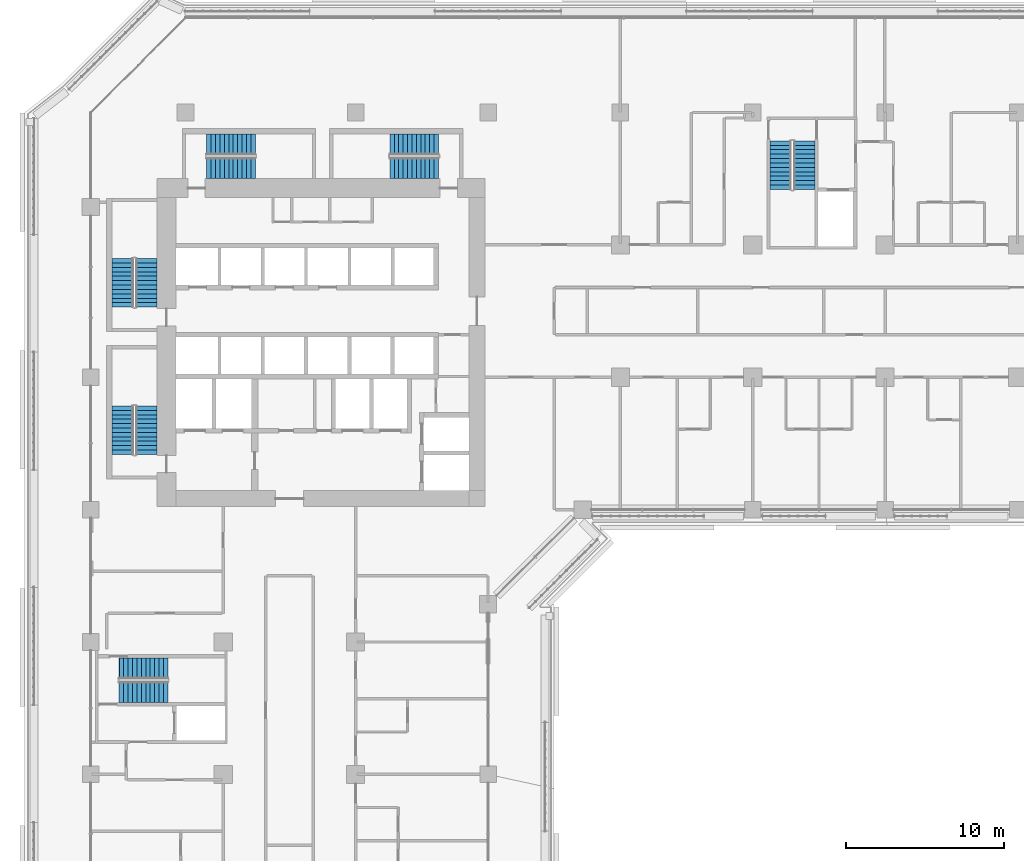
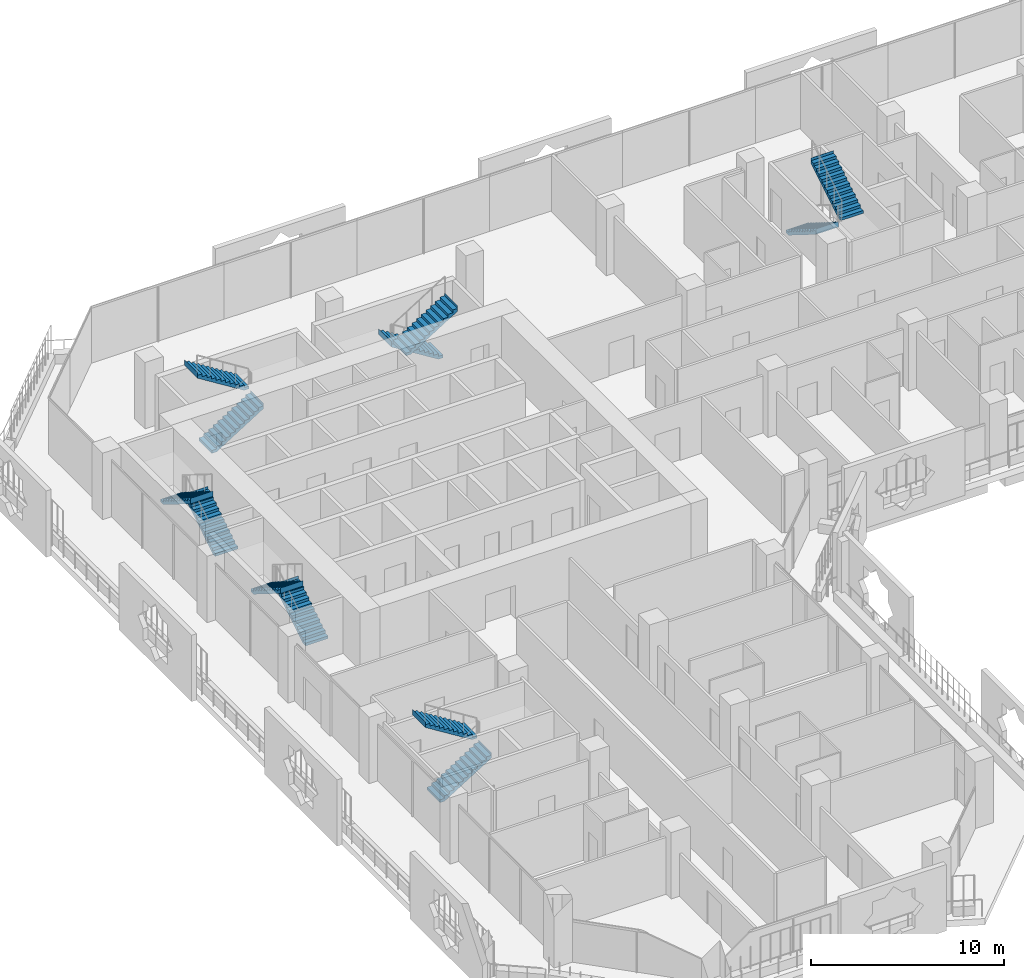
# One storey, part 18 of 25: 12 stair flights, 6 elements without a shape of their own.
"""IFC4 building model written with IfcOpenShell, lengths in metres."""

from ifc_helpers import new_model, si_unit, direction, frame, origin, place, context, subcontext, project, spatial, polyline, outline, extrude, material, type_object, element, aggregate, save


model = new_model("IFC4")

# Units and contexts
model_context = context("Model", 3, precision=1e-05, world=origin(), true_north=direction((0.0, 1.0)))
body_context = subcontext(model_context, "Body", "Model", "MODEL_VIEW")
ifc_project = project(units=[si_unit("LENGTHUNIT", "METRE"), si_unit("AREAUNIT", "SQUARE_METRE"), si_unit("VOLUMEUNIT", "CUBIC_METRE"), si_unit("PLANEANGLEUNIT", "RADIAN"), si_unit("MASSUNIT", "GRAM", prefix="KILO")], contexts=[model_context])

# Site, building, storey
site_placement = place(None, origin())
site = spatial("IfcSite", under=ifc_project, at=site_placement, CompositionType="ELEMENT")
building_placement = place(site_placement, origin())
building = spatial("IfcBuilding", under=site, at=building_placement, Name="Kawkab Arch Medical Tower", CompositionType="ELEMENT")
storey_placement = place(building_placement, frame((0.0, 0.0, 136.60009765625)))
storey = spatial("IfcBuildingStorey", under=building, at=storey_placement, Name="L31", CompositionType="ELEMENT", Elevation=136.60009765625)

# Stair, stair flights
ifc_material_1 = material(Name="Concrete C40/50", Category="concrete")
stair_type = type_object("IfcStairType", Name="Exit stair 1350", PredefinedType="HALF_TURN_STAIR", material=ifc_material_1)
placement = place(storey_placement, origin())
stair_1 = element("IfcStair", 1, at=placement, inside=storey, type_object=stair_type, Name="L31 Exit stair ST1", PredefinedType="HALF_TURN_STAIR")
ifc_material_2 = material(Name="Concrete C40/50", Category="concrete")
stair_flight_type = type_object("IfcStairFlightType", Name="Exit stair flight 1350", PredefinedType="STRAIGHT", material=ifc_material_2)
stair_flight_1_placement = place(storey_placement, frame((3.52490234375, -12.35009765625, 0.0), z_axis=(0.0, 0.0, 1.0), x_axis=(0.0, 1.0, 0.0)))
stair_flight_1 = element("IfcStairFlight", 2, at=stair_flight_1_placement, type_object=stair_flight_type, Name="ST1 flight 1", NumberOfRisers=12, NumberOfTreads=11, PredefinedType="STRAIGHT", RiserHeight=0.175, TreadLength=0.28, context=body_context, shape_type="SweptSolid", body=[
    extrude(outline(polyline([(-0.0029296875, 0.0), (-0.0029296875, 0.175048828125), (0.0, 0.175048828125), (0.280029296875, 0.175048828125), (0.280029296875, 0.35009765625), (0.56005859375, 0.35009765625), (0.56005859375, 0.52490234375), (0.840087890625, 0.52490234375), (0.840087890625, 0.699951171875), (1.1201171875, 0.699951171875), (1.1201171875, 0.875), (1.39990234375, 0.875), (1.39990234375, 1.050048828125), (1.679931640625, 1.050048828125), (1.679931640625, 1.22509765625), (1.9599609375, 1.22509765625), (1.9599609375, 1.39990234375), (2.239990234375, 1.39990234375), (2.239990234375, 1.574951171875), (2.52001953125, 1.574951171875), (2.52001953125, 1.75), (2.800048828125, 1.75), (2.800048828125, 1.925048828125), (3.080078125, 1.925048828125), (3.080078125, 2.10009765625), (3.0830078125, 2.10009765625), (3.0830078125, 1.748291015625), (3.080078125, 1.748291015625), (0.28271484375, 0.0), (-0.0029296875, 0.0)])), frame((0.0, 0.675048828125, 0.0), z_axis=(0.0, -1.0, 0.0), x_axis=(1.0, 0.0, 0.0)), (0.0, 0.0, 1.0), 1.35009765625),
])
stair_flight_2_placement = place(storey_placement, frame((2.02490234375, -9.27001953125, 2.099853515625), z_axis=(0.0, 0.0, 1.0), x_axis=(0.0, -1.0, 0.0)))
stair_flight_2 = element("IfcStairFlight", 3, at=stair_flight_2_placement, type_object=stair_flight_type, Name="ST1 flight 2", NumberOfRisers=12, NumberOfTreads=11, PredefinedType="STRAIGHT", RiserHeight=0.175, TreadLength=0.28, context=body_context, shape_type="SweptSolid", body=[
    extrude(outline(polyline([(-0.0029296875, 0.0), (-0.0029296875, 0.175048828125), (0.0, 0.175048828125), (0.280029296875, 0.175048828125), (0.280029296875, 0.35009765625), (0.56005859375, 0.35009765625), (0.56005859375, 0.52490234375), (0.840087890625, 0.52490234375), (0.840087890625, 0.699951171875), (1.1201171875, 0.699951171875), (1.1201171875, 0.875), (1.39990234375, 0.875), (1.39990234375, 1.050048828125), (1.679931640625, 1.050048828125), (1.679931640625, 1.22509765625), (1.9599609375, 1.22509765625), (1.9599609375, 1.39990234375), (2.239990234375, 1.39990234375), (2.239990234375, 1.574951171875), (2.52001953125, 1.574951171875), (2.52001953125, 1.75), (2.800048828125, 1.75), (2.800048828125, 1.925048828125), (3.080078125, 1.925048828125), (3.080078125, 2.10009765625), (3.0830078125, 2.10009765625), (3.0830078125, 1.748291015625), (3.080078125, 1.748291015625), (0.28271484375, 0.0), (-0.0029296875, 0.0)])), frame((0.0, 0.675048828125, 0.0), z_axis=(0.0, -1.0, 0.0), x_axis=(1.0, 0.0, 0.0)), (0.0, 0.0, 1.0), 1.35009765625),
])
aggregate(stair_1, [stair_flight_1, stair_flight_2])

stair_2 = element("IfcStair", 4, at=placement, inside=storey, type_object=stair_type, Name="L31 Exit stair ST2", PredefinedType="HALF_TURN_STAIR")
stair_flight_3_placement = place(storey_placement, frame((3.52490234375, -21.699951171875, 0.0), z_axis=(0.0, 0.0, 1.0), x_axis=(0.0, 1.0, 0.0)))
stair_flight_3 = element("IfcStairFlight", 5, at=stair_flight_3_placement, type_object=stair_flight_type, Name="ST2 flight 1", NumberOfRisers=12, NumberOfTreads=11, PredefinedType="STRAIGHT", RiserHeight=0.175, TreadLength=0.28, context=body_context, shape_type="SweptSolid", body=[
    extrude(outline(polyline([(-0.0029296875, 0.0), (-0.0029296875, 0.175048828125), (0.0, 0.175048828125), (0.280029296875, 0.175048828125), (0.280029296875, 0.35009765625), (0.56005859375, 0.35009765625), (0.56005859375, 0.52490234375), (0.840087890625, 0.52490234375), (0.840087890625, 0.699951171875), (1.1201171875, 0.699951171875), (1.1201171875, 0.875), (1.39990234375, 0.875), (1.39990234375, 1.050048828125), (1.679931640625, 1.050048828125), (1.679931640625, 1.22509765625), (1.9599609375, 1.22509765625), (1.9599609375, 1.39990234375), (2.239990234375, 1.39990234375), (2.239990234375, 1.574951171875), (2.52001953125, 1.574951171875), (2.52001953125, 1.75), (2.800048828125, 1.75), (2.800048828125, 1.925048828125), (3.080078125, 1.925048828125), (3.080078125, 2.10009765625), (3.0830078125, 2.10009765625), (3.0830078125, 1.748291015625), (3.080078125, 1.748291015625), (0.28271484375, 0.0), (-0.0029296875, 0.0)])), frame((0.0, 0.675048828125, 0.0), z_axis=(0.0, -1.0, 0.0), x_axis=(1.0, 0.0, 0.0)), (0.0, 0.0, 1.0), 1.35009765625),
])
stair_flight_4_placement = place(storey_placement, frame((2.02490234375, -18.6201171875, 2.099853515625), z_axis=(0.0, 0.0, 1.0), x_axis=(0.0, -1.0, 0.0)))
stair_flight_4 = element("IfcStairFlight", 6, at=stair_flight_4_placement, type_object=stair_flight_type, Name="ST2 flight 2", NumberOfRisers=12, NumberOfTreads=11, PredefinedType="STRAIGHT", RiserHeight=0.175, TreadLength=0.28, context=body_context, shape_type="SweptSolid", body=[
    extrude(outline(polyline([(-0.0029296875, 0.0), (-0.0029296875, 0.175048828125), (0.0, 0.175048828125), (0.280029296875, 0.175048828125), (0.280029296875, 0.35009765625), (0.56005859375, 0.35009765625), (0.56005859375, 0.52490234375), (0.840087890625, 0.52490234375), (0.840087890625, 0.699951171875), (1.1201171875, 0.699951171875), (1.1201171875, 0.875), (1.39990234375, 0.875), (1.39990234375, 1.050048828125), (1.679931640625, 1.050048828125), (1.679931640625, 1.22509765625), (1.9599609375, 1.22509765625), (1.9599609375, 1.39990234375), (2.239990234375, 1.39990234375), (2.239990234375, 1.574951171875), (2.52001953125, 1.574951171875), (2.52001953125, 1.75), (2.800048828125, 1.75), (2.800048828125, 1.925048828125), (3.080078125, 1.925048828125), (3.080078125, 2.10009765625), (3.0830078125, 2.10009765625), (3.0830078125, 1.748291015625), (3.080078125, 1.748291015625), (0.28271484375, 0.0), (-0.0029296875, 0.0)])), frame((0.0, 0.675048828125, 0.0), z_axis=(0.0, -1.0, 0.0), x_axis=(1.0, 0.0, 0.0)), (0.0, 0.0, 1.0), 1.35009765625),
])
aggregate(stair_2, [stair_flight_3, stair_flight_4])

stair_3 = element("IfcStair", 7, at=placement, inside=storey, type_object=stair_type, Name="L31 Exit stair ST3", PredefinedType="HALF_TURN_STAIR")
stair_flight_5_placement = place(storey_placement, frame((7.35009765625, -3.52490234375, 0.0), z_axis=(0.0, 0.0, 1.0), x_axis=(1.0, 0.0, 0.0)))
stair_flight_5 = element("IfcStairFlight", 8, at=stair_flight_5_placement, type_object=stair_flight_type, Name="ST3 flight 1", NumberOfRisers=12, NumberOfTreads=11, PredefinedType="STRAIGHT", RiserHeight=0.175, TreadLength=0.28, context=body_context, shape_type="SweptSolid", body=[
    extrude(outline(polyline([(-0.0029296875, 0.0), (-0.0029296875, 0.175048828125), (0.0, 0.175048828125), (0.280029296875, 0.175048828125), (0.280029296875, 0.35009765625), (0.56005859375, 0.35009765625), (0.56005859375, 0.52490234375), (0.840087890625, 0.52490234375), (0.840087890625, 0.699951171875), (1.1201171875, 0.699951171875), (1.1201171875, 0.875), (1.39990234375, 0.875), (1.39990234375, 1.050048828125), (1.679931640625, 1.050048828125), (1.679931640625, 1.22509765625), (1.9599609375, 1.22509765625), (1.9599609375, 1.39990234375), (2.239990234375, 1.39990234375), (2.239990234375, 1.574951171875), (2.52001953125, 1.574951171875), (2.52001953125, 1.75), (2.800048828125, 1.75), (2.800048828125, 1.925048828125), (3.080078125, 1.925048828125), (3.080078125, 2.10009765625), (3.0830078125, 2.10009765625), (3.0830078125, 1.748291015625), (3.080078125, 1.748291015625), (0.28271484375, 0.0), (-0.0029296875, 0.0)])), frame((0.0, 0.675048828125, 0.0), z_axis=(0.0, -1.0, 0.0), x_axis=(1.0, 0.0, 0.0)), (0.0, 0.0, 1.0), 1.35009765625),
])
stair_flight_6_placement = place(storey_placement, frame((10.429931640625, -2.02490234375, 2.099853515625), z_axis=(0.0, 0.0, 1.0), x_axis=(-1.0, 0.0, 0.0)))
stair_flight_6 = element("IfcStairFlight", 9, at=stair_flight_6_placement, type_object=stair_flight_type, Name="ST3 flight 2", NumberOfRisers=12, NumberOfTreads=11, PredefinedType="STRAIGHT", RiserHeight=0.175, TreadLength=0.28, context=body_context, shape_type="SweptSolid", body=[
    extrude(outline(polyline([(-0.0029296875, 0.0), (-0.0029296875, 0.175048828125), (0.0, 0.175048828125), (0.280029296875, 0.175048828125), (0.280029296875, 0.35009765625), (0.56005859375, 0.35009765625), (0.56005859375, 0.52490234375), (0.840087890625, 0.52490234375), (0.840087890625, 0.699951171875), (1.1201171875, 0.699951171875), (1.1201171875, 0.875), (1.39990234375, 0.875), (1.39990234375, 1.050048828125), (1.679931640625, 1.050048828125), (1.679931640625, 1.22509765625), (1.9599609375, 1.22509765625), (1.9599609375, 1.39990234375), (2.239990234375, 1.39990234375), (2.239990234375, 1.574951171875), (2.52001953125, 1.574951171875), (2.52001953125, 1.75), (2.800048828125, 1.75), (2.800048828125, 1.925048828125), (3.080078125, 1.925048828125), (3.080078125, 2.10009765625), (3.0830078125, 2.10009765625), (3.0830078125, 1.748291015625), (3.080078125, 1.748291015625), (0.28271484375, 0.0), (-0.0029296875, 0.0)])), frame((0.0, 0.675048828125, 0.0), z_axis=(0.0, -1.0, 0.0), x_axis=(1.0, 0.0, 0.0)), (0.0, 0.0, 1.0), 1.35009765625),
])
aggregate(stair_3, [stair_flight_5, stair_flight_6])

stair_4 = element("IfcStair", 10, at=placement, inside=storey, type_object=stair_type, Name="L31 Exit stair ST4", PredefinedType="HALF_TURN_STAIR")
stair_flight_7_placement = place(storey_placement, frame((22.050048828125, -2.02490234375, 0.0), z_axis=(0.0, 0.0, 1.0), x_axis=(-1.0, 0.0, 0.0)))
stair_flight_7 = element("IfcStairFlight", 11, at=stair_flight_7_placement, type_object=stair_flight_type, Name="ST4 flight 1", NumberOfRisers=12, NumberOfTreads=11, PredefinedType="STRAIGHT", RiserHeight=0.175, TreadLength=0.28, context=body_context, shape_type="SweptSolid", body=[
    extrude(outline(polyline([(-0.0029296875, 0.0), (-0.0029296875, 0.175048828125), (0.0, 0.175048828125), (0.280029296875, 0.175048828125), (0.280029296875, 0.35009765625), (0.56005859375, 0.35009765625), (0.56005859375, 0.52490234375), (0.840087890625, 0.52490234375), (0.840087890625, 0.699951171875), (1.1201171875, 0.699951171875), (1.1201171875, 0.875), (1.39990234375, 0.875), (1.39990234375, 1.050048828125), (1.679931640625, 1.050048828125), (1.679931640625, 1.22509765625), (1.9599609375, 1.22509765625), (1.9599609375, 1.39990234375), (2.239990234375, 1.39990234375), (2.239990234375, 1.574951171875), (2.52001953125, 1.574951171875), (2.52001953125, 1.75), (2.800048828125, 1.75), (2.800048828125, 1.925048828125), (3.080078125, 1.925048828125), (3.080078125, 2.10009765625), (3.0830078125, 2.10009765625), (3.0830078125, 1.748291015625), (3.080078125, 1.748291015625), (0.28271484375, 0.0), (-0.0029296875, 0.0)])), frame((0.0, 0.675048828125, 0.0), z_axis=(0.0, -1.0, 0.0), x_axis=(1.0, 0.0, 0.0)), (0.0, 0.0, 1.0), 1.35009765625),
])
stair_flight_8_placement = place(storey_placement, frame((18.969970703125, -3.52490234375, 2.099853515625), z_axis=(0.0, 0.0, 1.0), x_axis=(1.0, 0.0, 0.0)))
stair_flight_8 = element("IfcStairFlight", 12, at=stair_flight_8_placement, type_object=stair_flight_type, Name="ST4 flight 2", NumberOfRisers=12, NumberOfTreads=11, PredefinedType="STRAIGHT", RiserHeight=0.175, TreadLength=0.28, context=body_context, shape_type="SweptSolid", body=[
    extrude(outline(polyline([(-0.0029296875, 0.0), (-0.0029296875, 0.175048828125), (0.0, 0.175048828125), (0.280029296875, 0.175048828125), (0.280029296875, 0.35009765625), (0.56005859375, 0.35009765625), (0.56005859375, 0.52490234375), (0.840087890625, 0.52490234375), (0.840087890625, 0.699951171875), (1.1201171875, 0.699951171875), (1.1201171875, 0.875), (1.39990234375, 0.875), (1.39990234375, 1.050048828125), (1.679931640625, 1.050048828125), (1.679931640625, 1.22509765625), (1.9599609375, 1.22509765625), (1.9599609375, 1.39990234375), (2.239990234375, 1.39990234375), (2.239990234375, 1.574951171875), (2.52001953125, 1.574951171875), (2.52001953125, 1.75), (2.800048828125, 1.75), (2.800048828125, 1.925048828125), (3.080078125, 1.925048828125), (3.080078125, 2.10009765625), (3.0830078125, 2.10009765625), (3.0830078125, 1.748291015625), (3.080078125, 1.748291015625), (0.28271484375, 0.0), (-0.0029296875, 0.0)])), frame((0.0, 0.675048828125, 0.0), z_axis=(0.0, -1.0, 0.0), x_axis=(1.0, 0.0, 0.0)), (0.0, 0.0, 1.0), 1.35009765625),
])
aggregate(stair_4, [stair_flight_7, stair_flight_8])

stair_5 = element("IfcStair", 13, at=placement, inside=storey, type_object=stair_type, Name="L31 Exit stair ST5", PredefinedType="HALF_TURN_STAIR")
stair_flight_9_placement = place(storey_placement, frame((43.77490234375, -1.800048828125, 0.0), z_axis=(0.0, 0.0, 1.0), x_axis=(0.0, -1.0, 0.0)))
stair_flight_9 = element("IfcStairFlight", 14, at=stair_flight_9_placement, type_object=stair_flight_type, Name="ST5 flight 1", NumberOfRisers=12, NumberOfTreads=11, PredefinedType="STRAIGHT", RiserHeight=0.175, TreadLength=0.28, context=body_context, shape_type="SweptSolid", body=[
    extrude(outline(polyline([(-0.0029296875, 0.0), (-0.0029296875, 0.175048828125), (0.0, 0.175048828125), (0.280029296875, 0.175048828125), (0.280029296875, 0.35009765625), (0.56005859375, 0.35009765625), (0.56005859375, 0.52490234375), (0.840087890625, 0.52490234375), (0.840087890625, 0.699951171875), (1.1201171875, 0.699951171875), (1.1201171875, 0.875), (1.39990234375, 0.875), (1.39990234375, 1.050048828125), (1.679931640625, 1.050048828125), (1.679931640625, 1.22509765625), (1.9599609375, 1.22509765625), (1.9599609375, 1.39990234375), (2.239990234375, 1.39990234375), (2.239990234375, 1.574951171875), (2.52001953125, 1.574951171875), (2.52001953125, 1.75), (2.800048828125, 1.75), (2.800048828125, 1.925048828125), (3.080078125, 1.925048828125), (3.080078125, 2.10009765625), (3.0830078125, 2.10009765625), (3.0830078125, 1.748291015625), (3.080078125, 1.748291015625), (0.28271484375, 0.0), (-0.0029296875, 0.0)])), frame((0.0, 0.675048828125, 0.0), z_axis=(0.0, -1.0, 0.0), x_axis=(1.0, 0.0, 0.0)), (0.0, 0.0, 1.0), 1.35009765625),
])
stair_flight_10_placement = place(storey_placement, frame((45.27490234375, -4.8798828125, 2.099853515625), z_axis=(0.0, 0.0, 1.0), x_axis=(0.0, 1.0, 0.0)))
stair_flight_10 = element("IfcStairFlight", 15, at=stair_flight_10_placement, type_object=stair_flight_type, Name="ST5 flight 2", NumberOfRisers=12, NumberOfTreads=11, PredefinedType="STRAIGHT", RiserHeight=0.175, TreadLength=0.28, context=body_context, shape_type="SweptSolid", body=[
    extrude(outline(polyline([(-0.0029296875, 0.0), (-0.0029296875, 0.175048828125), (0.0, 0.175048828125), (0.280029296875, 0.175048828125), (0.280029296875, 0.35009765625), (0.56005859375, 0.35009765625), (0.56005859375, 0.52490234375), (0.840087890625, 0.52490234375), (0.840087890625, 0.699951171875), (1.1201171875, 0.699951171875), (1.1201171875, 0.875), (1.39990234375, 0.875), (1.39990234375, 1.050048828125), (1.679931640625, 1.050048828125), (1.679931640625, 1.22509765625), (1.9599609375, 1.22509765625), (1.9599609375, 1.39990234375), (2.239990234375, 1.39990234375), (2.239990234375, 1.574951171875), (2.52001953125, 1.574951171875), (2.52001953125, 1.75), (2.800048828125, 1.75), (2.800048828125, 1.925048828125), (3.080078125, 1.925048828125), (3.080078125, 2.10009765625), (3.0830078125, 2.10009765625), (3.0830078125, 1.748291015625), (3.080078125, 1.748291015625), (0.28271484375, 0.0), (-0.0029296875, 0.0)])), frame((0.0, 0.675048828125, 0.0), z_axis=(0.0, -1.0, 0.0), x_axis=(1.0, 0.0, 0.0)), (0.0, 0.0, 1.0), 1.35009765625),
])
aggregate(stair_5, [stair_flight_9, stair_flight_10])

stair_6 = element("IfcStair", 16, at=placement, inside=storey, type_object=stair_type, Name="L31 Exit stair ST6", PredefinedType="HALF_TURN_STAIR")
stair_flight_11_placement = place(storey_placement, frame((1.800048828125, -36.77490234375, 0.0), z_axis=(0.0, 0.0, 1.0), x_axis=(1.0, 0.0, 0.0)))
stair_flight_11 = element("IfcStairFlight", 17, at=stair_flight_11_placement, type_object=stair_flight_type, Name="ST6 flight 1", NumberOfRisers=12, NumberOfTreads=11, PredefinedType="STRAIGHT", RiserHeight=0.175, TreadLength=0.28, context=body_context, shape_type="SweptSolid", body=[
    extrude(outline(polyline([(-0.0029296875, 0.0), (-0.0029296875, 0.175048828125), (0.0, 0.175048828125), (0.280029296875, 0.175048828125), (0.280029296875, 0.35009765625), (0.56005859375, 0.35009765625), (0.56005859375, 0.52490234375), (0.840087890625, 0.52490234375), (0.840087890625, 0.699951171875), (1.1201171875, 0.699951171875), (1.1201171875, 0.875), (1.39990234375, 0.875), (1.39990234375, 1.050048828125), (1.679931640625, 1.050048828125), (1.679931640625, 1.22509765625), (1.9599609375, 1.22509765625), (1.9599609375, 1.39990234375), (2.239990234375, 1.39990234375), (2.239990234375, 1.574951171875), (2.52001953125, 1.574951171875), (2.52001953125, 1.75), (2.800048828125, 1.75), (2.800048828125, 1.925048828125), (3.080078125, 1.925048828125), (3.080078125, 2.10009765625), (3.0830078125, 2.10009765625), (3.0830078125, 1.748291015625), (3.080078125, 1.748291015625), (0.28271484375, 0.0), (-0.0029296875, 0.0)])), frame((0.0, 0.675048828125, 0.0), z_axis=(0.0, -1.0, 0.0), x_axis=(1.0, 0.0, 0.0)), (0.0, 0.0, 1.0), 1.35009765625),
])
stair_flight_12_placement = place(storey_placement, frame((4.8798828125, -35.27490234375, 2.099853515625), z_axis=(0.0, 0.0, 1.0), x_axis=(-1.0, 0.0, 0.0)))
stair_flight_12 = element("IfcStairFlight", 18, at=stair_flight_12_placement, type_object=stair_flight_type, Name="ST6 flight 2", NumberOfRisers=12, NumberOfTreads=11, PredefinedType="STRAIGHT", RiserHeight=0.175, TreadLength=0.28, context=body_context, shape_type="SweptSolid", body=[
    extrude(outline(polyline([(-0.0029296875, 0.0), (-0.0029296875, 0.175048828125), (0.0, 0.175048828125), (0.280029296875, 0.175048828125), (0.280029296875, 0.35009765625), (0.56005859375, 0.35009765625), (0.56005859375, 0.52490234375), (0.840087890625, 0.52490234375), (0.840087890625, 0.699951171875), (1.1201171875, 0.699951171875), (1.1201171875, 0.875), (1.39990234375, 0.875), (1.39990234375, 1.050048828125), (1.679931640625, 1.050048828125), (1.679931640625, 1.22509765625), (1.9599609375, 1.22509765625), (1.9599609375, 1.39990234375), (2.239990234375, 1.39990234375), (2.239990234375, 1.574951171875), (2.52001953125, 1.574951171875), (2.52001953125, 1.75), (2.800048828125, 1.75), (2.800048828125, 1.925048828125), (3.080078125, 1.925048828125), (3.080078125, 2.10009765625), (3.0830078125, 2.10009765625), (3.0830078125, 1.748291015625), (3.080078125, 1.748291015625), (0.28271484375, 0.0), (-0.0029296875, 0.0)])), frame((0.0, 0.675048828125, 0.0), z_axis=(0.0, -1.0, 0.0), x_axis=(1.0, 0.0, 0.0)), (0.0, 0.0, 1.0), 1.35009765625),
])
aggregate(stair_6, [stair_flight_11, stair_flight_12])

save(model, "model.ifc")
